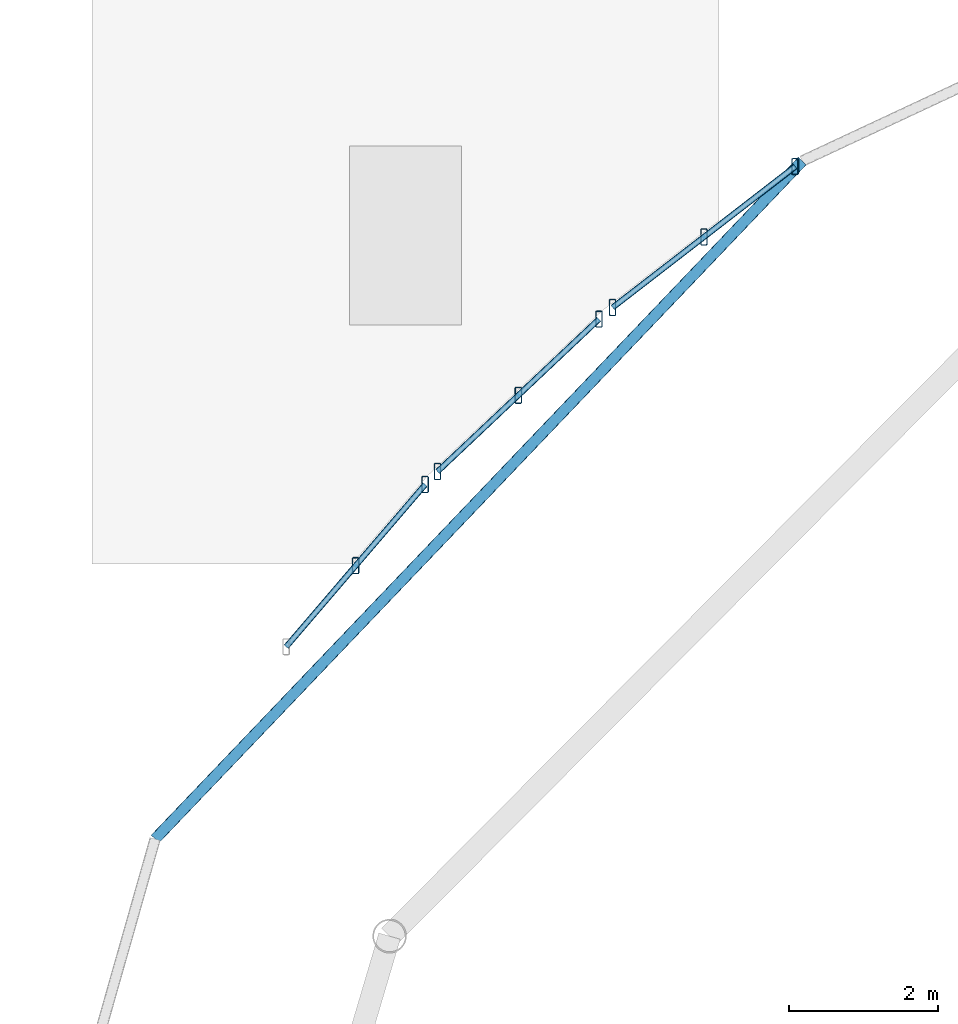
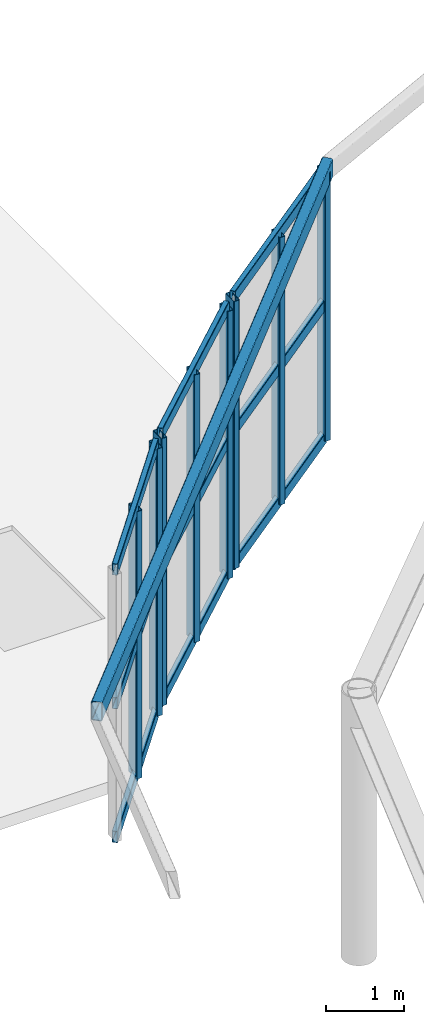
# One storey, part 28 of 73: 17 members, 1 beam, 3 elements without a shape of their own.
"""IFC4 building model written with IfcOpenShell, lengths in metres."""

from ifc_helpers import new_model, si_unit, derived_unit, direction, frame, origin, origin_2d, place, context, subcontext, project, spatial, hollow_rectangle, extrude, material, material_profile, profile_set, type_object, element, aggregate, save


model = new_model("IFC4")

# Units and contexts
model_context = context("Model", 3, precision=1e-05, world=origin(), true_north=direction((0.0, 1.0)))
body_context = subcontext(model_context, "Body", "Model", "MODEL_VIEW")
ifc_project = project(units=[si_unit("LENGTHUNIT", "METRE"), si_unit("AREAUNIT", "SQUARE_METRE"), si_unit("VOLUMEUNIT", "CUBIC_METRE"), si_unit("PLANEANGLEUNIT", "RADIAN"), si_unit("MASSUNIT", "GRAM", prefix="KILO"), derived_unit("THERMALTRANSMITTANCEUNIT", [(si_unit("MASSUNIT", "GRAM", prefix="KILO"), 1), (si_unit("TIMEUNIT", "SECOND"), -3), (si_unit("THERMODYNAMICTEMPERATUREUNIT", "KELVIN"), -1)])], contexts=[model_context])

# Site, building, storey
site_placement = place(None, origin())
site = spatial("IfcSite", under=ifc_project, at=site_placement, CompositionType="ELEMENT")
building_placement = place(site_placement, origin())
building = spatial("IfcBuilding", under=site, at=building_placement, Name="Kharveza Railside Sports Centre", CompositionType="ELEMENT")
storey_placement = place(building_placement, frame((0.0, 0.0, 8.699951171875)))
storey = spatial("IfcBuildingStorey", under=building, at=storey_placement, Name="L02", CompositionType="ELEMENT", Elevation=8.699951171875)

# Beam
ifc_material_1 = material(Name="Steel S355J2", Category="steel")
ifc_material_profile_1 = material_profile(ifc_material_1, hollow_rectangle(XDim=0.14990234375, YDim=0.300048828125, WallThickness=0.012451171875, InnerFilletRadius=0.012451171875, OuterFilletRadius=0.02490234375, at=origin_2d()), Name="RHS 150x300x12.5")
ifc_profile_set_1 = profile_set([ifc_material_profile_1], Name="Steel S355J2")
beam_type = type_object("IfcBeamType", Name="BM-SP03", PredefinedType="SPANDREL", material=ifc_profile_set_1)
beam_placement = place(storey_placement, frame((26.315673828125, 70.198974609375, 4.150146484375), z_axis=(-0.69047805862, -0.723353337287, 0.0), x_axis=(0.723353337287, -0.69047805862, 0.0)))
element("IfcBeam", 1, at=beam_placement, inside=storey, type_object=beam_type, Name="BM-DCLER-HEAD-07", PredefinedType="SPANDREL", context=body_context, shape_type="SweptSolid", body=[
    extrude(hollow_rectangle(XDim=0.14990234375, YDim=0.300048828125, WallThickness=0.012451171875, InnerFilletRadius=0.012451171875, OuterFilletRadius=0.02490234375, at=origin_2d()), origin(), (0.0, 0.0, 1.0), 12.557861328125),
])

# Curtain wall, members
ifc_material_2 = material(Name="Low-E solar-control laminated glass", Category="glass")
curtain_wall_type = type_object("IfcCurtainWallType", Name="CW-DR01", PredefinedType="NOTDEFINED", material=ifc_material_2)
curtain_wall_1_placement = place(storey_placement, origin())
curtain_wall_1 = element("IfcCurtainWall", 2, at=curtain_wall_1_placement, inside=storey, type_object=curtain_wall_type, Name="CW-DRUM-25", PredefinedType="NOTDEFINED")
ifc_material_3 = material(Name="Anodised aluminium 6063-T6", Category="aluminium")
ifc_material_profile_2 = material_profile(ifc_material_3, hollow_rectangle(XDim=0.090087890625, YDim=0.219970703125, WallThickness=0.008056640625, InnerFilletRadius=0.008056640625, OuterFilletRadius=0.01611328125, at=origin_2d()), Name="RHS 90x220x8.0")
ifc_profile_set_2 = profile_set([ifc_material_profile_2], Name="Anodised aluminium 6063-T6")
member_type_1 = type_object("IfcMemberType", Name="CW-ML01", PredefinedType="MULLION", material=ifc_profile_set_2)
member_1_placement = place(storey_placement, frame((26.220703125, 70.12548828125, 0.0), z_axis=(0.0, 0.0, 1.0), x_axis=(1.0, 0.0, 0.0)))
member_1 = element("IfcMember", 3, at=member_1_placement, type_object=member_type_1, Name="CW-DRUM-25-ML1", PredefinedType="MULLION", context=body_context, shape_type="SweptSolid", body=[
    extrude(hollow_rectangle(XDim=0.090087890625, YDim=0.219970703125, WallThickness=0.008056640625, InnerFilletRadius=0.008056640625, OuterFilletRadius=0.01611328125, at=origin_2d()), origin(), (0.0, 0.0, 1.0), 4.199951171875),
])
member_2_placement = place(storey_placement, frame((24.997802734375, 69.180908203125, 0.0), z_axis=(0.0, 0.0, 1.0), x_axis=(1.0, 0.0, 0.0)))
member_2 = element("IfcMember", 4, at=member_2_placement, type_object=member_type_1, Name="CW-DRUM-25-ML2", PredefinedType="MULLION", context=body_context, shape_type="SweptSolid", body=[
    extrude(hollow_rectangle(XDim=0.090087890625, YDim=0.219970703125, WallThickness=0.008056640625, InnerFilletRadius=0.008056640625, OuterFilletRadius=0.01611328125, at=origin_2d()), origin(), (0.0, 0.0, 1.0), 4.199951171875),
])
member_3_placement = place(storey_placement, frame((23.774658203125, 68.236328125, 0.0), z_axis=(0.0, 0.0, 1.0), x_axis=(1.0, 0.0, 0.0)))
member_3 = element("IfcMember", 5, at=member_3_placement, type_object=member_type_1, Name="CW-DRUM-25-ML3", PredefinedType="MULLION", context=body_context, shape_type="SweptSolid", body=[
    extrude(hollow_rectangle(XDim=0.090087890625, YDim=0.219970703125, WallThickness=0.008056640625, InnerFilletRadius=0.008056640625, OuterFilletRadius=0.01611328125, at=origin_2d()), origin(), (0.0, 0.0, 1.0), 4.199951171875),
])

curtain_wall_2_placement = place(storey_placement, origin())
curtain_wall_2 = element("IfcCurtainWall", 6, at=curtain_wall_2_placement, inside=storey, type_object=curtain_wall_type, Name="CW-DRUM-26", PredefinedType="NOTDEFINED")
member_4_placement = place(storey_placement, frame((23.59228515625, 68.08056640625, 0.0), z_axis=(0.0, 0.0, 1.0), x_axis=(1.0, 0.0, 0.0)))
member_4 = element("IfcMember", 7, at=member_4_placement, type_object=member_type_1, Name="CW-DRUM-26-ML1", PredefinedType="MULLION", context=body_context, shape_type="SweptSolid", body=[
    extrude(hollow_rectangle(XDim=0.090087890625, YDim=0.219970703125, WallThickness=0.008056640625, InnerFilletRadius=0.008056640625, OuterFilletRadius=0.01611328125, at=origin_2d()), origin(), (0.0, 0.0, 1.0), 4.199951171875),
])
member_5_placement = place(storey_placement, frame((22.510498046875, 67.0595703125, 0.0), z_axis=(0.0, 0.0, 1.0), x_axis=(1.0, 0.0, 0.0)))
member_5 = element("IfcMember", 8, at=member_5_placement, type_object=member_type_1, Name="CW-DRUM-26-ML2", PredefinedType="MULLION", context=body_context, shape_type="SweptSolid", body=[
    extrude(hollow_rectangle(XDim=0.090087890625, YDim=0.219970703125, WallThickness=0.008056640625, InnerFilletRadius=0.008056640625, OuterFilletRadius=0.01611328125, at=origin_2d()), origin(), (0.0, 0.0, 1.0), 4.199951171875),
])
member_6_placement = place(storey_placement, frame((21.428466796875, 66.038330078125, 0.0), z_axis=(0.0, 0.0, 1.0), x_axis=(1.0, 0.0, 0.0)))
member_6 = element("IfcMember", 9, at=member_6_placement, type_object=member_type_1, Name="CW-DRUM-26-ML3", PredefinedType="MULLION", context=body_context, shape_type="SweptSolid", body=[
    extrude(hollow_rectangle(XDim=0.090087890625, YDim=0.219970703125, WallThickness=0.008056640625, InnerFilletRadius=0.008056640625, OuterFilletRadius=0.01611328125, at=origin_2d()), origin(), (0.0, 0.0, 1.0), 4.199951171875),
])

curtain_wall_3_placement = place(storey_placement, origin())
curtain_wall_3 = element("IfcCurtainWall", 10, at=curtain_wall_3_placement, inside=storey, type_object=curtain_wall_type, Name="CW-DRUM-27", PredefinedType="NOTDEFINED")
member_7_placement = place(storey_placement, frame((21.26318359375, 65.86474609375, 0.0), z_axis=(0.0, 0.0, 1.0), x_axis=(1.0, 0.0, 0.0)))
member_7 = element("IfcMember", 11, at=member_7_placement, type_object=member_type_1, Name="CW-DRUM-27-ML1", PredefinedType="MULLION", context=body_context, shape_type="SweptSolid", body=[
    extrude(hollow_rectangle(XDim=0.090087890625, YDim=0.219970703125, WallThickness=0.008056640625, InnerFilletRadius=0.008056640625, OuterFilletRadius=0.01611328125, at=origin_2d()), origin(), (0.0, 0.0, 1.0), 4.199951171875),
])
member_8_placement = place(storey_placement, frame((20.332275390625, 64.777587890625, 0.0), z_axis=(0.0, 0.0, 1.0), x_axis=(1.0, 0.0, 0.0)))
member_8 = element("IfcMember", 12, at=member_8_placement, type_object=member_type_1, Name="CW-DRUM-27-ML2", PredefinedType="MULLION", context=body_context, shape_type="SweptSolid", body=[
    extrude(hollow_rectangle(XDim=0.090087890625, YDim=0.219970703125, WallThickness=0.008056640625, InnerFilletRadius=0.008056640625, OuterFilletRadius=0.01611328125, at=origin_2d()), origin(), (0.0, 0.0, 1.0), 4.199951171875),
])

# Member
ifc_material_profile_3 = material_profile(ifc_material_3, hollow_rectangle(XDim=0.080078125, YDim=0.179931640625, WallThickness=0.00634765625, InnerFilletRadius=0.00634765625, OuterFilletRadius=0.0126953125, at=origin_2d()), Name="RHS 80x180x6.3")
ifc_profile_set_3 = profile_set([ifc_material_profile_3], Name="Anodised aluminium 6063-T6")
member_type_2 = type_object("IfcMemberType", Name="CW-TR01", PredefinedType="USERDEFINED", material=ifc_profile_set_3)
member_9_placement = place(storey_placement, frame((26.220703125, 70.12548828125, 0.0), z_axis=(-0.79143611748, -0.611251889117, 0.0), x_axis=(0.611251889117, -0.79143611748, 0.0)))
member_9 = element("IfcMember", 13, at=member_9_placement, type_object=member_type_2, Name="CW-DRUM-25-TR1", ObjectType="TRANSOM", PredefinedType="USERDEFINED", context=body_context, shape_type="SweptSolid", body=[
    extrude(hollow_rectangle(XDim=0.080078125, YDim=0.179931640625, WallThickness=0.00634765625, InnerFilletRadius=0.00634765625, OuterFilletRadius=0.0126953125, at=origin_2d()), origin(), (0.0, 0.0, 1.0), 3.090576171875),
])

member_10_placement = place(storey_placement, frame((26.220703125, 70.12548828125, 2.10009765625), z_axis=(-0.79143611748, -0.611251889117, 0.0), x_axis=(0.611251889117, -0.79143611748, 0.0)))
member_10 = element("IfcMember", 14, at=member_10_placement, type_object=member_type_2, Name="CW-DRUM-25-TR2", ObjectType="TRANSOM", PredefinedType="USERDEFINED", context=body_context, shape_type="SweptSolid", body=[
    extrude(hollow_rectangle(XDim=0.080078125, YDim=0.179931640625, WallThickness=0.00634765625, InnerFilletRadius=0.00634765625, OuterFilletRadius=0.0126953125, at=origin_2d()), origin(), (0.0, 0.0, 1.0), 3.090576171875),
])

member_11_placement = place(storey_placement, frame((26.220703125, 70.12548828125, 4.199951171875), z_axis=(-0.79143611748, -0.611251889117, 0.0), x_axis=(0.611251889117, -0.79143611748, 0.0)))
member_11 = element("IfcMember", 15, at=member_11_placement, type_object=member_type_2, Name="CW-DRUM-25-TR3", ObjectType="TRANSOM", PredefinedType="USERDEFINED", context=body_context, shape_type="SweptSolid", body=[
    extrude(hollow_rectangle(XDim=0.080078125, YDim=0.179931640625, WallThickness=0.00634765625, InnerFilletRadius=0.00634765625, OuterFilletRadius=0.0126953125, at=origin_2d()), origin(), (0.0, 0.0, 1.0), 3.090576171875),
])

aggregate(curtain_wall_1, [member_1, member_2, member_3, member_9, member_10, member_11])

member_12_placement = place(storey_placement, frame((23.59228515625, 68.08056640625, 0.0), z_axis=(-0.727242942811, -0.686380144039, 0.0), x_axis=(0.686380144039, -0.727242942811, 0.0)))
member_12 = element("IfcMember", 16, at=member_12_placement, type_object=member_type_2, Name="CW-DRUM-26-TR1", ObjectType="TRANSOM", PredefinedType="USERDEFINED", context=body_context, shape_type="SweptSolid", body=[
    extrude(hollow_rectangle(XDim=0.080078125, YDim=0.179931640625, WallThickness=0.00634765625, InnerFilletRadius=0.00634765625, OuterFilletRadius=0.0126953125, at=origin_2d()), origin(), (0.0, 0.0, 1.0), 2.975341796875),
])

member_13_placement = place(storey_placement, frame((23.59228515625, 68.08056640625, 2.10009765625), z_axis=(-0.727242942811, -0.686380144039, 0.0), x_axis=(0.686380144039, -0.727242942811, 0.0)))
member_13 = element("IfcMember", 17, at=member_13_placement, type_object=member_type_2, Name="CW-DRUM-26-TR2", ObjectType="TRANSOM", PredefinedType="USERDEFINED", context=body_context, shape_type="SweptSolid", body=[
    extrude(hollow_rectangle(XDim=0.080078125, YDim=0.179931640625, WallThickness=0.00634765625, InnerFilletRadius=0.00634765625, OuterFilletRadius=0.0126953125, at=origin_2d()), origin(), (0.0, 0.0, 1.0), 2.975341796875),
])

member_14_placement = place(storey_placement, frame((23.59228515625, 68.08056640625, 4.199951171875), z_axis=(-0.727242942811, -0.686380144039, 0.0), x_axis=(0.686380144039, -0.727242942811, 0.0)))
member_14 = element("IfcMember", 18, at=member_14_placement, type_object=member_type_2, Name="CW-DRUM-26-TR3", ObjectType="TRANSOM", PredefinedType="USERDEFINED", context=body_context, shape_type="SweptSolid", body=[
    extrude(hollow_rectangle(XDim=0.080078125, YDim=0.179931640625, WallThickness=0.00634765625, InnerFilletRadius=0.00634765625, OuterFilletRadius=0.0126953125, at=origin_2d()), origin(), (0.0, 0.0, 1.0), 2.975341796875),
])

aggregate(curtain_wall_2, [member_4, member_5, member_6, member_12, member_13, member_14])

member_15_placement = place(storey_placement, frame((21.26318359375, 65.86474609375, 0.0), z_axis=(-0.650419079705, -0.759575553027, 0.0), x_axis=(0.759575553027, -0.650419079705, 0.0)))
member_15 = element("IfcMember", 19, at=member_15_placement, type_object=member_type_2, Name="CW-DRUM-27-TR1", ObjectType="TRANSOM", PredefinedType="USERDEFINED", context=body_context, shape_type="SweptSolid", body=[
    extrude(hollow_rectangle(XDim=0.080078125, YDim=0.179931640625, WallThickness=0.00634765625, InnerFilletRadius=0.00634765625, OuterFilletRadius=0.0126953125, at=origin_2d()), origin(), (0.0, 0.0, 1.0), 2.86279296875),
])

member_16_placement = place(storey_placement, frame((21.26318359375, 65.86474609375, 2.10009765625), z_axis=(-0.650419079705, -0.759575553027, 0.0), x_axis=(0.759575553027, -0.650419079705, 0.0)))
member_16 = element("IfcMember", 20, at=member_16_placement, type_object=member_type_2, Name="CW-DRUM-27-TR2", ObjectType="TRANSOM", PredefinedType="USERDEFINED", context=body_context, shape_type="SweptSolid", body=[
    extrude(hollow_rectangle(XDim=0.080078125, YDim=0.179931640625, WallThickness=0.00634765625, InnerFilletRadius=0.00634765625, OuterFilletRadius=0.0126953125, at=origin_2d()), origin(), (0.0, 0.0, 1.0), 2.86279296875),
])

member_17_placement = place(storey_placement, frame((21.26318359375, 65.86474609375, 4.199951171875), z_axis=(-0.650419079705, -0.759575553027, 0.0), x_axis=(0.759575553027, -0.650419079705, 0.0)))
member_17 = element("IfcMember", 21, at=member_17_placement, type_object=member_type_2, Name="CW-DRUM-27-TR3", ObjectType="TRANSOM", PredefinedType="USERDEFINED", context=body_context, shape_type="SweptSolid", body=[
    extrude(hollow_rectangle(XDim=0.080078125, YDim=0.179931640625, WallThickness=0.00634765625, InnerFilletRadius=0.00634765625, OuterFilletRadius=0.0126953125, at=origin_2d()), origin(), (0.0, 0.0, 1.0), 2.86279296875),
])

aggregate(curtain_wall_3, [member_7, member_8, member_15, member_16, member_17])

save(model, "model.ifc")
